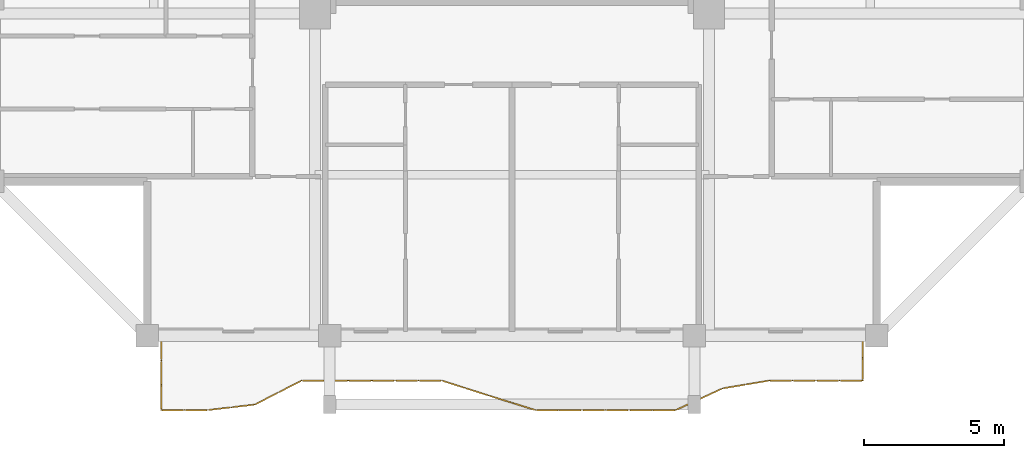
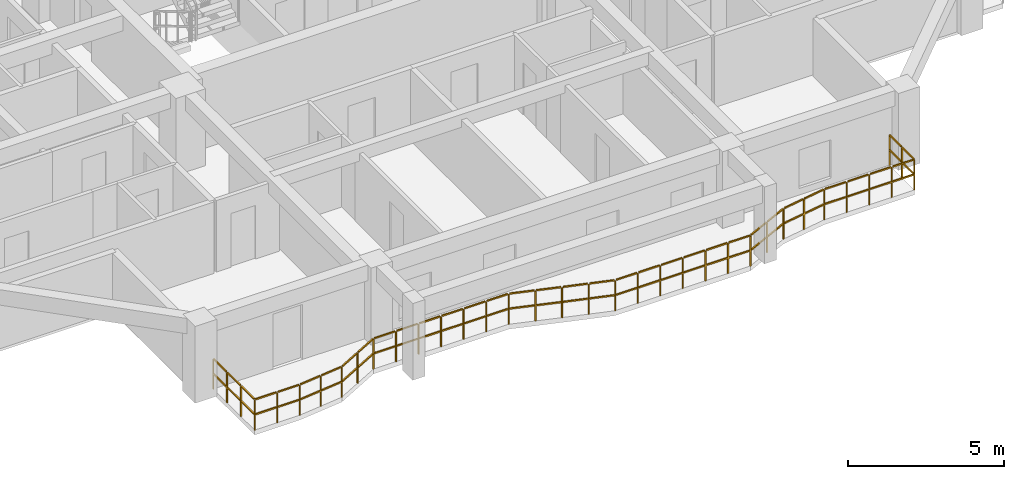
# One storey, part 9 of 13: 1 railing.
"""IFC4 building model written with IfcOpenShell, lengths in metres."""

from ifc_helpers import new_model, si_unit, direction, frame, origin, origin_2d, place, context, subcontext, project, spatial, rectangle, extrude, material, type_object, element, save


model = new_model("IFC4")

# Units and contexts
model_context = context("Model", 3, precision=1e-05, world=origin(), true_north=direction((0.0, 1.0)))
body_context = subcontext(model_context, "Body", "Model", "MODEL_VIEW")
ifc_project = project(units=[si_unit("LENGTHUNIT", "METRE"), si_unit("AREAUNIT", "SQUARE_METRE"), si_unit("VOLUMEUNIT", "CUBIC_METRE"), si_unit("PLANEANGLEUNIT", "RADIAN"), si_unit("MASSUNIT", "GRAM", prefix="KILO")], contexts=[model_context])

# Site, building, storey
site_placement = place(None, origin())
site = spatial("IfcSite", under=ifc_project, at=site_placement, CompositionType="ELEMENT")
building_placement = place(site_placement, origin())
building = spatial("IfcBuilding", under=site, at=building_placement, Name="Saelheon Loggia Tower", CompositionType="ELEMENT")
storey_placement = place(building_placement, frame((0.0, 0.0, 199.60009765625)))
storey = spatial("IfcBuildingStorey", under=building, at=storey_placement, Name="L62", CompositionType="ELEMENT", Elevation=199.60009765625)

# Railing
ifc_material = material(Name="Architectural Precast Concrete and Laminated Glass Guard", Category="concrete")
railing_type = type_object("IfcRailingType", Name="Guard_Loggia_RL_LOG", PredefinedType="BALUSTRADE", material=ifc_material)
railing_placement = place(storey_placement, frame((25.5, 6.0, 0.0)))
element("IfcRailing", 1, at=railing_placement, inside=storey, type_object=railing_type, Name="L62 South Loggia Balustrade", PredefinedType="BALUSTRADE", context=body_context, shape_type="SweptSolid", body=[
    extrude(rectangle(XDim=0.048095703125, YDim=0.048095703125, at=origin_2d()), frame((0.0, -0.033203125, 1.19580078125), z_axis=(0.0, -1.0, 0.0), x_axis=(1.0, 0.0, 0.0)), (0.0, 0.0, 1.0), 0.81689453125),
    extrude(rectangle(XDim=0.048095703125, YDim=0.048095703125, at=origin_2d()), frame((0.0, -0.033203125, 0.60986328125), z_axis=(0.0, -1.0, 0.0), x_axis=(1.0, 0.0, 0.0)), (0.0, 0.0, 1.0), 0.81689453125),
    extrude(rectangle(XDim=0.048095703125, YDim=0.048095703125, at=origin_2d()), frame((0.0, -0.91650390625, 1.19580078125), z_axis=(0.0, -1.0, 0.0), x_axis=(1.0, 0.0, 0.0)), (0.0, 0.0, 1.0), 0.81689453125),
    extrude(rectangle(XDim=0.048095703125, YDim=0.048095703125, at=origin_2d()), frame((0.0, -0.91650390625, 0.60986328125), z_axis=(0.0, -1.0, 0.0), x_axis=(1.0, 0.0, 0.0)), (0.0, 0.0, 1.0), 0.81689453125),
    extrude(rectangle(XDim=0.048095703125, YDim=0.048095703125, at=origin_2d()), frame((0.0, -1.7998046875, 1.19580078125), z_axis=(0.0, -1.0, 0.0), x_axis=(1.0, 0.0, 0.0)), (0.0, 0.0, 1.0), 0.81689453125),
    extrude(rectangle(XDim=0.048095703125, YDim=0.048095703125, at=origin_2d()), frame((0.0, -1.7998046875, 0.60986328125), z_axis=(0.0, -1.0, 0.0), x_axis=(1.0, 0.0, 0.0)), (0.0, 0.0, 1.0), 0.81689453125),
    extrude(rectangle(XDim=0.048095703125, YDim=0.048095703125, at=origin_2d()), frame((0.033203125, -2.64990234375, 1.19580078125), z_axis=(1.0, 0.0, 0.0), x_axis=(0.0, 1.0, 0.0)), (0.0, 0.0, 1.0), 0.766845703125),
    extrude(rectangle(XDim=0.048095703125, YDim=0.048095703125, at=origin_2d()), frame((0.033203125, -2.64990234375, 0.60986328125), z_axis=(1.0, 0.0, 0.0), x_axis=(0.0, 1.0, 0.0)), (0.0, 0.0, 1.0), 0.766845703125),
    extrude(rectangle(XDim=0.048095703125, YDim=0.048095703125, at=origin_2d()), frame((0.86669921875, -2.64990234375, 1.19580078125), z_axis=(1.0, 0.0, 0.0), x_axis=(0.0, 1.0, 0.0)), (0.0, 0.0, 1.0), 0.766845703125),
    extrude(rectangle(XDim=0.048095703125, YDim=0.048095703125, at=origin_2d()), frame((0.86669921875, -2.64990234375, 0.60986328125), z_axis=(1.0, 0.0, 0.0), x_axis=(0.0, 1.0, 0.0)), (0.0, 0.0, 1.0), 0.766845703125),
    extrude(rectangle(XDim=0.048095703125, YDim=0.048095703125, at=origin_2d()), frame((1.69970703125, -2.64599609375, 1.19580078125), z_axis=(0.993252527716, 0.115971618018, 0.0), x_axis=(-0.115971618018, 0.993252527716, 0.0)), (0.0, 0.0, 1.0), 0.7724609375),
    extrude(rectangle(XDim=0.048095703125, YDim=0.048095703125, at=origin_2d()), frame((1.69970703125, -2.64599609375, 0.60986328125), z_axis=(0.993252527716, 0.115971618018, 0.0), x_axis=(-0.115971618018, 0.993252527716, 0.0)), (0.0, 0.0, 1.0), 0.7724609375),
    extrude(rectangle(XDim=0.048095703125, YDim=0.048095703125, at=origin_2d()), frame((2.532958984375, -2.548828125, 1.19580078125), z_axis=(0.993252527716, 0.115971618018, 0.0), x_axis=(-0.115971618018, 0.993252527716, 0.0)), (0.0, 0.0, 1.0), 0.7724609375),
    extrude(rectangle(XDim=0.048095703125, YDim=0.048095703125, at=origin_2d()), frame((2.532958984375, -2.548828125, 0.60986328125), z_axis=(0.993252527716, 0.115971618018, 0.0), x_axis=(-0.115971618018, 0.993252527716, 0.0)), (0.0, 0.0, 1.0), 0.7724609375),
    extrude(rectangle(XDim=0.048095703125, YDim=0.048095703125, at=origin_2d()), frame((3.36279296875, -2.440185546875, 1.19580078125), z_axis=(0.889712964252, 0.456520362352, 0.0), x_axis=(-0.456520362352, 0.889712964252, 0.0)), (0.0, 0.0, 1.0), 0.8701171875),
    extrude(rectangle(XDim=0.048095703125, YDim=0.048095703125, at=origin_2d()), frame((3.36279296875, -2.440185546875, 0.60986328125), z_axis=(0.889712964252, 0.456520362352, 0.0), x_axis=(-0.456520362352, 0.889712964252, 0.0)), (0.0, 0.0, 1.0), 0.8701171875),
    extrude(rectangle(XDim=0.048095703125, YDim=0.048095703125, at=origin_2d()), frame((4.1962890625, -2.012451171875, 1.19580078125), z_axis=(0.889712964252, 0.456520362352, 0.0), x_axis=(-0.456520362352, 0.889712964252, 0.0)), (0.0, 0.0, 1.0), 0.8701171875),
    extrude(rectangle(XDim=0.048095703125, YDim=0.048095703125, at=origin_2d()), frame((4.1962890625, -2.012451171875, 0.60986328125), z_axis=(0.889712964252, 0.456520362352, 0.0), x_axis=(-0.456520362352, 0.889712964252, 0.0)), (0.0, 0.0, 1.0), 0.8701171875),
    extrude(rectangle(XDim=0.048095703125, YDim=0.048095703125, at=origin_2d()), frame((5.033203125, -1.60009765625, 1.19580078125), z_axis=(1.0, 0.0, 0.0), x_axis=(0.0, 1.0, 0.0)), (0.0, 0.0, 1.0), 0.766845703125),
    extrude(rectangle(XDim=0.048095703125, YDim=0.048095703125, at=origin_2d()), frame((5.033203125, -1.60009765625, 0.60986328125), z_axis=(1.0, 0.0, 0.0), x_axis=(0.0, 1.0, 0.0)), (0.0, 0.0, 1.0), 0.766845703125),
    extrude(rectangle(XDim=0.048095703125, YDim=0.048095703125, at=origin_2d()), frame((5.86669921875, -1.60009765625, 1.19580078125), z_axis=(1.0, 0.0, 0.0), x_axis=(0.0, 1.0, 0.0)), (0.0, 0.0, 1.0), 0.766845703125),
    extrude(rectangle(XDim=0.048095703125, YDim=0.048095703125, at=origin_2d()), frame((5.86669921875, -1.60009765625, 0.60986328125), z_axis=(1.0, 0.0, 0.0), x_axis=(0.0, 1.0, 0.0)), (0.0, 0.0, 1.0), 0.766845703125),
    extrude(rectangle(XDim=0.048095703125, YDim=0.048095703125, at=origin_2d()), frame((6.699951171875, -1.60009765625, 1.19580078125), z_axis=(1.0, 0.0, 0.0), x_axis=(0.0, 1.0, 0.0)), (0.0, 0.0, 1.0), 0.766845703125),
    extrude(rectangle(XDim=0.048095703125, YDim=0.048095703125, at=origin_2d()), frame((6.699951171875, -1.60009765625, 0.60986328125), z_axis=(1.0, 0.0, 0.0), x_axis=(0.0, 1.0, 0.0)), (0.0, 0.0, 1.0), 0.766845703125),
    extrude(rectangle(XDim=0.048095703125, YDim=0.048095703125, at=origin_2d()), frame((7.533203125, -1.60009765625, 1.19580078125), z_axis=(1.0, 0.0, 0.0), x_axis=(0.0, 1.0, 0.0)), (0.0, 0.0, 1.0), 0.766845703125),
    extrude(rectangle(XDim=0.048095703125, YDim=0.048095703125, at=origin_2d()), frame((7.533203125, -1.60009765625, 0.60986328125), z_axis=(1.0, 0.0, 0.0), x_axis=(0.0, 1.0, 0.0)), (0.0, 0.0, 1.0), 0.766845703125),
    extrude(rectangle(XDim=0.048095703125, YDim=0.048095703125, at=origin_2d()), frame((8.366455078125, -1.60009765625, 1.19580078125), z_axis=(1.0, 0.0, 0.0), x_axis=(0.0, 1.0, 0.0)), (0.0, 0.0, 1.0), 0.766845703125),
    extrude(rectangle(XDim=0.048095703125, YDim=0.048095703125, at=origin_2d()), frame((8.366455078125, -1.60009765625, 0.60986328125), z_axis=(1.0, 0.0, 0.0), x_axis=(0.0, 1.0, 0.0)), (0.0, 0.0, 1.0), 0.766845703125),
    extrude(rectangle(XDim=0.048095703125, YDim=0.048095703125, at=origin_2d()), frame((9.199951171875, -1.60009765625, 1.19580078125), z_axis=(1.0, 0.0, 0.0), x_axis=(0.0, 1.0, 0.0)), (0.0, 0.0, 1.0), 0.766845703125),
    extrude(rectangle(XDim=0.048095703125, YDim=0.048095703125, at=origin_2d()), frame((9.199951171875, -1.60009765625, 0.60986328125), z_axis=(1.0, 0.0, 0.0), x_axis=(0.0, 1.0, 0.0)), (0.0, 0.0, 1.0), 0.766845703125),
    extrude(rectangle(XDim=0.048095703125, YDim=0.048095703125, at=origin_2d()), frame((10.03173828125, -1.610107421875, 1.19580078125), z_axis=(0.952692745051, -0.303935081107, 0.0), x_axis=(0.303935081107, 0.952692745051, 0.0)), (0.0, 0.0, 1.0), 0.808349609375),
    extrude(rectangle(XDim=0.048095703125, YDim=0.048095703125, at=origin_2d()), frame((10.03173828125, -1.610107421875, 0.60986328125), z_axis=(0.952692745051, -0.303935081107, 0.0), x_axis=(0.303935081107, 0.952692745051, 0.0)), (0.0, 0.0, 1.0), 0.808349609375),
    extrude(rectangle(XDim=0.048095703125, YDim=0.048095703125, at=origin_2d()), frame((10.864990234375, -1.8759765625, 1.19580078125), z_axis=(0.952692745051, -0.303935081107, 0.0), x_axis=(0.303935081107, 0.952692745051, 0.0)), (0.0, 0.0, 1.0), 0.808349609375),
    extrude(rectangle(XDim=0.048095703125, YDim=0.048095703125, at=origin_2d()), frame((10.864990234375, -1.8759765625, 0.60986328125), z_axis=(0.952692745051, -0.303935081107, 0.0), x_axis=(0.303935081107, 0.952692745051, 0.0)), (0.0, 0.0, 1.0), 0.808349609375),
    extrude(rectangle(XDim=0.048095703125, YDim=0.048095703125, at=origin_2d()), frame((11.698486328125, -2.1416015625, 1.19580078125), z_axis=(0.954922008147, -0.296856797727, 0.0), x_axis=(0.296856797727, 0.954922008147, 0.0)), (0.0, 0.0, 1.0), 0.80615234375),
    extrude(rectangle(XDim=0.048095703125, YDim=0.048095703125, at=origin_2d()), frame((11.698486328125, -2.1416015625, 0.60986328125), z_axis=(0.954922008147, -0.296856797727, 0.0), x_axis=(0.296856797727, 0.954922008147, 0.0)), (0.0, 0.0, 1.0), 0.80615234375),
    extrude(rectangle(XDim=0.048095703125, YDim=0.048095703125, at=origin_2d()), frame((12.53173828125, -2.400634765625, 1.19580078125), z_axis=(0.954922008147, -0.296856797727, 0.0), x_axis=(0.296856797727, 0.954922008147, 0.0)), (0.0, 0.0, 1.0), 0.80615234375),
    extrude(rectangle(XDim=0.048095703125, YDim=0.048095703125, at=origin_2d()), frame((12.53173828125, -2.400634765625, 0.60986328125), z_axis=(0.954922008147, -0.296856797727, 0.0), x_axis=(0.296856797727, 0.954922008147, 0.0)), (0.0, 0.0, 1.0), 0.80615234375),
    extrude(rectangle(XDim=0.048095703125, YDim=0.048095703125, at=origin_2d()), frame((13.366455078125, -2.64990234375, 1.19580078125), z_axis=(1.0, 0.0, 0.0), x_axis=(0.0, 1.0, 0.0)), (0.0, 0.0, 1.0), 0.766845703125),
    extrude(rectangle(XDim=0.048095703125, YDim=0.048095703125, at=origin_2d()), frame((13.366455078125, -2.64990234375, 0.60986328125), z_axis=(1.0, 0.0, 0.0), x_axis=(0.0, 1.0, 0.0)), (0.0, 0.0, 1.0), 0.766845703125),
    extrude(rectangle(XDim=0.048095703125, YDim=0.048095703125, at=origin_2d()), frame((14.199951171875, -2.64990234375, 1.19580078125), z_axis=(1.0, 0.0, 0.0), x_axis=(0.0, 1.0, 0.0)), (0.0, 0.0, 1.0), 0.766845703125),
    extrude(rectangle(XDim=0.048095703125, YDim=0.048095703125, at=origin_2d()), frame((14.199951171875, -2.64990234375, 0.60986328125), z_axis=(1.0, 0.0, 0.0), x_axis=(0.0, 1.0, 0.0)), (0.0, 0.0, 1.0), 0.766845703125),
    extrude(rectangle(XDim=0.048095703125, YDim=0.048095703125, at=origin_2d()), frame((15.033203125, -2.64990234375, 1.19580078125), z_axis=(1.0, 0.0, 0.0), x_axis=(0.0, 1.0, 0.0)), (0.0, 0.0, 1.0), 0.766845703125),
    extrude(rectangle(XDim=0.048095703125, YDim=0.048095703125, at=origin_2d()), frame((15.033203125, -2.64990234375, 0.60986328125), z_axis=(1.0, 0.0, 0.0), x_axis=(0.0, 1.0, 0.0)), (0.0, 0.0, 1.0), 0.766845703125),
    extrude(rectangle(XDim=0.048095703125, YDim=0.048095703125, at=origin_2d()), frame((15.86669921875, -2.64990234375, 1.19580078125), z_axis=(1.0, 0.0, 0.0), x_axis=(0.0, 1.0, 0.0)), (0.0, 0.0, 1.0), 0.766845703125),
    extrude(rectangle(XDim=0.048095703125, YDim=0.048095703125, at=origin_2d()), frame((15.86669921875, -2.64990234375, 0.60986328125), z_axis=(1.0, 0.0, 0.0), x_axis=(0.0, 1.0, 0.0)), (0.0, 0.0, 1.0), 0.766845703125),
    extrude(rectangle(XDim=0.048095703125, YDim=0.048095703125, at=origin_2d()), frame((16.699951171875, -2.64990234375, 1.19580078125), z_axis=(1.0, 0.0, 0.0), x_axis=(0.0, 1.0, 0.0)), (0.0, 0.0, 1.0), 0.766845703125),
    extrude(rectangle(XDim=0.048095703125, YDim=0.048095703125, at=origin_2d()), frame((16.699951171875, -2.64990234375, 0.60986328125), z_axis=(1.0, 0.0, 0.0), x_axis=(0.0, 1.0, 0.0)), (0.0, 0.0, 1.0), 0.766845703125),
    extrude(rectangle(XDim=0.048095703125, YDim=0.048095703125, at=origin_2d()), frame((17.533203125, -2.64990234375, 1.19580078125), z_axis=(1.0, 0.0, 0.0), x_axis=(0.0, 1.0, 0.0)), (0.0, 0.0, 1.0), 0.766845703125),
    extrude(rectangle(XDim=0.048095703125, YDim=0.048095703125, at=origin_2d()), frame((17.533203125, -2.64990234375, 0.60986328125), z_axis=(1.0, 0.0, 0.0), x_axis=(0.0, 1.0, 0.0)), (0.0, 0.0, 1.0), 0.766845703125),
    extrude(rectangle(XDim=0.048095703125, YDim=0.048095703125, at=origin_2d()), frame((18.363525390625, -2.635986328125, 1.19580078125), z_axis=(0.907803646661, 0.419395444788, 0.0), x_axis=(-0.419395444788, 0.907803646661, 0.0)), (0.0, 0.0, 1.0), 0.8515625),
    extrude(rectangle(XDim=0.048095703125, YDim=0.048095703125, at=origin_2d()), frame((18.363525390625, -2.635986328125, 0.60986328125), z_axis=(0.907803646661, 0.419395444788, 0.0), x_axis=(-0.419395444788, 0.907803646661, 0.0)), (0.0, 0.0, 1.0), 0.8515625),
    extrude(rectangle(XDim=0.048095703125, YDim=0.048095703125, at=origin_2d()), frame((19.19677734375, -2.2509765625, 1.19580078125), z_axis=(0.907803646661, 0.419395444788, 0.0), x_axis=(-0.419395444788, 0.907803646661, 0.0)), (0.0, 0.0, 1.0), 0.8515625),
    extrude(rectangle(XDim=0.048095703125, YDim=0.048095703125, at=origin_2d()), frame((19.19677734375, -2.2509765625, 0.60986328125), z_axis=(0.907803646661, 0.419395444788, 0.0), x_axis=(-0.419395444788, 0.907803646661, 0.0)), (0.0, 0.0, 1.0), 0.8515625),
    extrude(rectangle(XDim=0.048095703125, YDim=0.048095703125, at=origin_2d()), frame((20.03271484375, -1.874267578125, 1.19580078125), z_axis=(0.986201949219, 0.165546716538, 0.0), x_axis=(-0.165546716538, 0.986201949219, 0.0)), (0.0, 0.0, 1.0), 0.778564453125),
    extrude(rectangle(XDim=0.048095703125, YDim=0.048095703125, at=origin_2d()), frame((20.03271484375, -1.874267578125, 0.60986328125), z_axis=(0.986201949219, 0.165546716538, 0.0), x_axis=(-0.165546716538, 0.986201949219, 0.0)), (0.0, 0.0, 1.0), 0.778564453125),
    extrude(rectangle(XDim=0.048095703125, YDim=0.048095703125, at=origin_2d()), frame((20.8662109375, -1.734375, 1.19580078125), z_axis=(0.986201949219, 0.165546716538, 0.0), x_axis=(-0.165546716538, 0.986201949219, 0.0)), (0.0, 0.0, 1.0), 0.778564453125),
    extrude(rectangle(XDim=0.048095703125, YDim=0.048095703125, at=origin_2d()), frame((20.8662109375, -1.734375, 0.60986328125), z_axis=(0.986201949219, 0.165546716538, 0.0), x_axis=(-0.165546716538, 0.986201949219, 0.0)), (0.0, 0.0, 1.0), 0.778564453125),
    extrude(rectangle(XDim=0.048095703125, YDim=0.048095703125, at=origin_2d()), frame((21.699951171875, -1.60009765625, 1.19580078125), z_axis=(1.0, 0.0, 0.0), x_axis=(0.0, 1.0, 0.0)), (0.0, 0.0, 1.0), 0.766845703125),
    extrude(rectangle(XDim=0.048095703125, YDim=0.048095703125, at=origin_2d()), frame((21.699951171875, -1.60009765625, 0.60986328125), z_axis=(1.0, 0.0, 0.0), x_axis=(0.0, 1.0, 0.0)), (0.0, 0.0, 1.0), 0.766845703125),
    extrude(rectangle(XDim=0.048095703125, YDim=0.048095703125, at=origin_2d()), frame((22.533203125, -1.60009765625, 1.19580078125), z_axis=(1.0, 0.0, 0.0), x_axis=(0.0, 1.0, 0.0)), (0.0, 0.0, 1.0), 0.766845703125),
    extrude(rectangle(XDim=0.048095703125, YDim=0.048095703125, at=origin_2d()), frame((22.533203125, -1.60009765625, 0.60986328125), z_axis=(1.0, 0.0, 0.0), x_axis=(0.0, 1.0, 0.0)), (0.0, 0.0, 1.0), 0.766845703125),
    extrude(rectangle(XDim=0.048095703125, YDim=0.048095703125, at=origin_2d()), frame((23.366455078125, -1.60009765625, 1.19580078125), z_axis=(1.0, 0.0, 0.0), x_axis=(0.0, 1.0, 0.0)), (0.0, 0.0, 1.0), 0.766845703125),
    extrude(rectangle(XDim=0.048095703125, YDim=0.048095703125, at=origin_2d()), frame((23.366455078125, -1.60009765625, 0.60986328125), z_axis=(1.0, 0.0, 0.0), x_axis=(0.0, 1.0, 0.0)), (0.0, 0.0, 1.0), 0.766845703125),
    extrude(rectangle(XDim=0.048095703125, YDim=0.048095703125, at=origin_2d()), frame((24.199951171875, -1.60009765625, 1.19580078125), z_axis=(1.0, 0.0, 0.0), x_axis=(0.0, 1.0, 0.0)), (0.0, 0.0, 1.0), 0.766845703125),
    extrude(rectangle(XDim=0.048095703125, YDim=0.048095703125, at=origin_2d()), frame((24.199951171875, -1.60009765625, 0.60986328125), z_axis=(1.0, 0.0, 0.0), x_axis=(0.0, 1.0, 0.0)), (0.0, 0.0, 1.0), 0.766845703125),
    extrude(rectangle(XDim=0.048095703125, YDim=0.048095703125, at=origin_2d()), frame((25.0, -1.56689453125, 1.19580078125), z_axis=(0.0, 1.0, 0.0), x_axis=(-1.0, 0.0, 0.0)), (0.0, 0.0, 1.0), 0.733642578125),
    extrude(rectangle(XDim=0.048095703125, YDim=0.048095703125, at=origin_2d()), frame((25.0, -1.56689453125, 0.60986328125), z_axis=(0.0, 1.0, 0.0), x_axis=(-1.0, 0.0, 0.0)), (0.0, 0.0, 1.0), 0.733642578125),
    extrude(rectangle(XDim=0.048095703125, YDim=0.048095703125, at=origin_2d()), frame((25.0, -0.766845703125, 1.19580078125), z_axis=(0.0, 1.0, 0.0), x_axis=(-1.0, 0.0, 0.0)), (0.0, 0.0, 1.0), 0.733642578125),
    extrude(rectangle(XDim=0.048095703125, YDim=0.048095703125, at=origin_2d()), frame((25.0, -0.766845703125, 0.60986328125), z_axis=(0.0, 1.0, 0.0), x_axis=(-1.0, 0.0, 0.0)), (0.0, 0.0, 1.0), 0.733642578125),
    extrude(rectangle(XDim=0.0419921875, YDim=0.0419921875, at=origin_2d()), origin(), (0.0, 0.0, 1.0), 1.16796875),
    extrude(rectangle(XDim=0.0419921875, YDim=0.0419921875, at=origin_2d()), frame((0.0, -0.88330078125, 0.0)), (0.0, 0.0, 1.0), 1.16796875),
    extrude(rectangle(XDim=0.0419921875, YDim=0.0419921875, at=origin_2d()), frame((0.0, -1.7666015625, 0.0)), (0.0, 0.0, 1.0), 1.16796875),
    extrude(rectangle(XDim=0.0419921875, YDim=0.0419921875, at=origin_2d()), frame((0.0, -2.64990234375, 0.0)), (0.0, 0.0, 1.0), 1.16796875),
    extrude(rectangle(XDim=0.0419921875, YDim=0.0419921875, at=origin_2d()), frame((0.83349609375, -2.64990234375, 0.0)), (0.0, 0.0, 1.0), 1.16796875),
    extrude(rectangle(XDim=0.0419921875, YDim=0.0419921875, at=origin_2d()), frame((1.666748046875, -2.64990234375, 0.0)), (0.0, 0.0, 1.0), 1.16796875),
    extrude(rectangle(XDim=0.0419921875, YDim=0.0419921875, at=origin_2d()), frame((2.5, -2.552734375, 0.0)), (0.0, 0.0, 1.0), 1.16796875),
    extrude(rectangle(XDim=0.0419921875, YDim=0.0419921875, at=origin_2d()), frame((3.333251953125, -2.455322265625, 0.0)), (0.0, 0.0, 1.0), 1.16796875),
    extrude(rectangle(XDim=0.0419921875, YDim=0.0419921875, at=origin_2d()), frame((4.16650390625, -2.02783203125, 0.0)), (0.0, 0.0, 1.0), 1.16796875),
    extrude(rectangle(XDim=0.0419921875, YDim=0.0419921875, at=origin_2d()), frame((5.0, -1.60009765625, 0.0)), (0.0, 0.0, 1.0), 1.16796875),
    extrude(rectangle(XDim=0.0419921875, YDim=0.0419921875, at=origin_2d()), frame((5.83349609375, -1.60009765625, 0.0)), (0.0, 0.0, 1.0), 1.16796875),
    extrude(rectangle(XDim=0.0419921875, YDim=0.0419921875, at=origin_2d()), frame((6.666748046875, -1.60009765625, 0.0)), (0.0, 0.0, 1.0), 1.16796875),
    extrude(rectangle(XDim=0.0419921875, YDim=0.0419921875, at=origin_2d()), frame((7.5, -1.60009765625, 0.0)), (0.0, 0.0, 1.0), 1.16796875),
    extrude(rectangle(XDim=0.0419921875, YDim=0.0419921875, at=origin_2d()), frame((8.333251953125, -1.60009765625, 0.0)), (0.0, 0.0, 1.0), 1.16796875),
    extrude(rectangle(XDim=0.0419921875, YDim=0.0419921875, at=origin_2d()), frame((9.16650390625, -1.60009765625, 0.0)), (0.0, 0.0, 1.0), 1.16796875),
    extrude(rectangle(XDim=0.0419921875, YDim=0.0419921875, at=origin_2d()), frame((10.0, -1.60009765625, 0.0)), (0.0, 0.0, 1.0), 1.16796875),
    extrude(rectangle(XDim=0.0419921875, YDim=0.0419921875, at=origin_2d()), frame((10.83349609375, -1.865966796875, 0.0)), (0.0, 0.0, 1.0), 1.16796875),
    extrude(rectangle(XDim=0.0419921875, YDim=0.0419921875, at=origin_2d()), frame((11.666748046875, -2.1318359375, 0.0)), (0.0, 0.0, 1.0), 1.16796875),
    extrude(rectangle(XDim=0.0419921875, YDim=0.0419921875, at=origin_2d()), frame((12.5, -2.390869140625, 0.0)), (0.0, 0.0, 1.0), 1.16796875),
    extrude(rectangle(XDim=0.0419921875, YDim=0.0419921875, at=origin_2d()), frame((13.333251953125, -2.64990234375, 0.0)), (0.0, 0.0, 1.0), 1.16796875),
    extrude(rectangle(XDim=0.0419921875, YDim=0.0419921875, at=origin_2d()), frame((14.16650390625, -2.64990234375, 0.0)), (0.0, 0.0, 1.0), 1.16796875),
    extrude(rectangle(XDim=0.0419921875, YDim=0.0419921875, at=origin_2d()), frame((15.0, -2.64990234375, 0.0)), (0.0, 0.0, 1.0), 1.16796875),
    extrude(rectangle(XDim=0.0419921875, YDim=0.0419921875, at=origin_2d()), frame((15.83349609375, -2.64990234375, 0.0)), (0.0, 0.0, 1.0), 1.16796875),
    extrude(rectangle(XDim=0.0419921875, YDim=0.0419921875, at=origin_2d()), frame((16.666748046875, -2.64990234375, 0.0)), (0.0, 0.0, 1.0), 1.16796875),
    extrude(rectangle(XDim=0.0419921875, YDim=0.0419921875, at=origin_2d()), frame((17.5, -2.64990234375, 0.0)), (0.0, 0.0, 1.0), 1.16796875),
    extrude(rectangle(XDim=0.0419921875, YDim=0.0419921875, at=origin_2d()), frame((18.333251953125, -2.64990234375, 0.0)), (0.0, 0.0, 1.0), 1.16796875),
    extrude(rectangle(XDim=0.0419921875, YDim=0.0419921875, at=origin_2d()), frame((19.16650390625, -2.264892578125, 0.0)), (0.0, 0.0, 1.0), 1.16796875),
    extrude(rectangle(XDim=0.0419921875, YDim=0.0419921875, at=origin_2d()), frame((20.0, -1.8798828125, 0.0)), (0.0, 0.0, 1.0), 1.16796875),
    extrude(rectangle(XDim=0.0419921875, YDim=0.0419921875, at=origin_2d()), frame((20.83349609375, -1.739990234375, 0.0)), (0.0, 0.0, 1.0), 1.16796875),
    extrude(rectangle(XDim=0.0419921875, YDim=0.0419921875, at=origin_2d()), frame((21.666748046875, -1.60009765625, 0.0)), (0.0, 0.0, 1.0), 1.16796875),
    extrude(rectangle(XDim=0.0419921875, YDim=0.0419921875, at=origin_2d()), frame((22.5, -1.60009765625, 0.0)), (0.0, 0.0, 1.0), 1.16796875),
    extrude(rectangle(XDim=0.0419921875, YDim=0.0419921875, at=origin_2d()), frame((23.333251953125, -1.60009765625, 0.0)), (0.0, 0.0, 1.0), 1.16796875),
    extrude(rectangle(XDim=0.0419921875, YDim=0.0419921875, at=origin_2d()), frame((24.16650390625, -1.60009765625, 0.0)), (0.0, 0.0, 1.0), 1.16796875),
    extrude(rectangle(XDim=0.0419921875, YDim=0.0419921875, at=origin_2d()), frame((25.0, -1.60009765625, 0.0)), (0.0, 0.0, 1.0), 1.16796875),
    extrude(rectangle(XDim=0.0419921875, YDim=0.0419921875, at=origin_2d()), frame((25.0, -0.800048828125, 0.0)), (0.0, 0.0, 1.0), 1.16796875),
    extrude(rectangle(XDim=0.0419921875, YDim=0.0419921875, at=origin_2d()), frame((25.0, 0.0, 0.0)), (0.0, 0.0, 1.0), 1.16796875),
])

save(model, "model.ifc")
